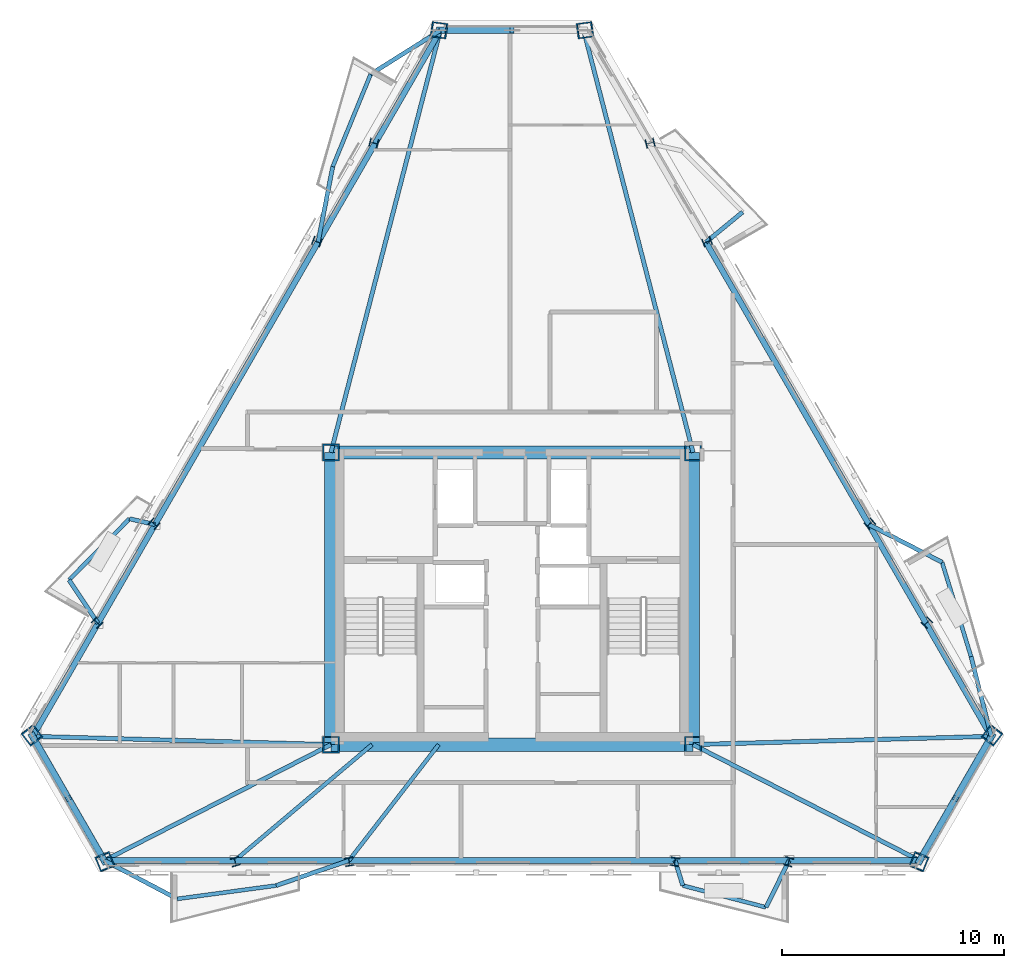
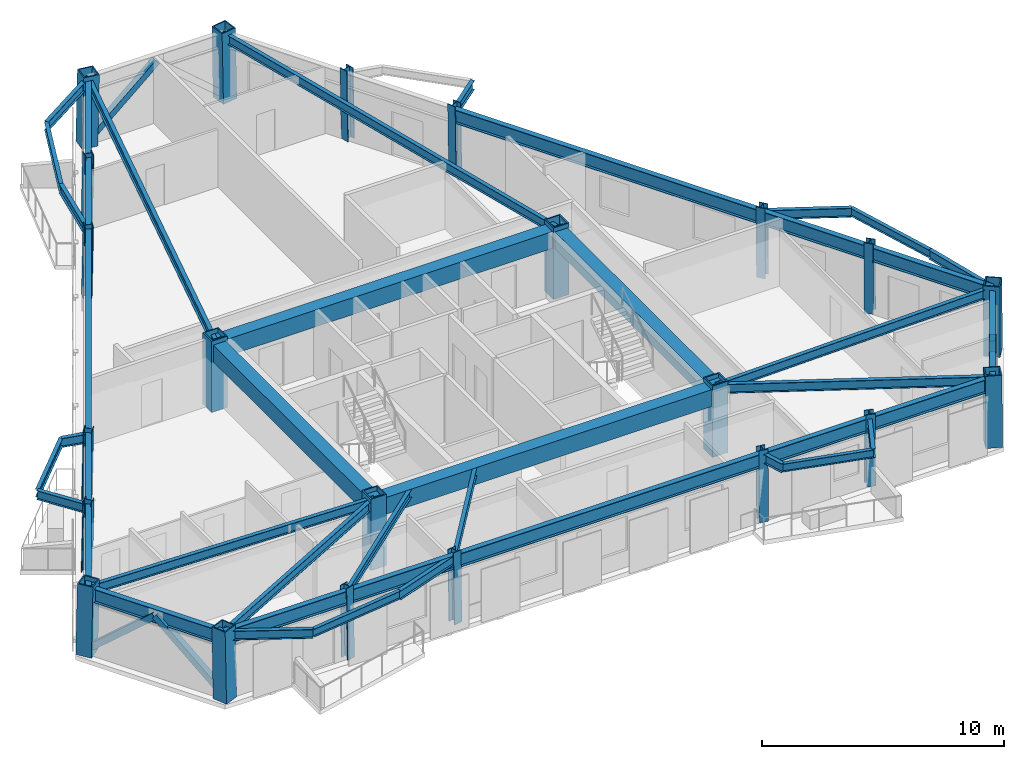
# One storey, part 1 of 9: 43 beams, 22 columns, 5 members.
"""IFC4 building model written with IfcOpenShell, lengths in metres."""

from ifc_helpers import new_model, si_unit, direction, frame, origin, origin_2d, place, context, subcontext, project, spatial, rectangle, hollow_rectangle, i_section, extrude, material, material_profile, profile_set, type_object, element, save


model = new_model("IFC4")

# Units and contexts
model_context = context("Model", 3, precision=1e-05, world=origin(), true_north=direction((0.0, 1.0)))
body_context = subcontext(model_context, "Body", "Model", "MODEL_VIEW")
ifc_project = project(units=[si_unit("LENGTHUNIT", "METRE"), si_unit("AREAUNIT", "SQUARE_METRE"), si_unit("VOLUMEUNIT", "CUBIC_METRE"), si_unit("PLANEANGLEUNIT", "RADIAN"), si_unit("MASSUNIT", "GRAM", prefix="KILO")], contexts=[model_context])

# Site, building, storey
site_placement = place(None, origin())
site = spatial("IfcSite", under=ifc_project, at=site_placement, CompositionType="ELEMENT")
building_placement = place(site_placement, origin())
building = spatial("IfcBuilding", under=site, at=building_placement, Name="Oramaril Tower", CompositionType="ELEMENT")
storey_placement = place(building_placement, frame((0.0, 0.0, 219.89990234375)))
storey = spatial("IfcBuildingStorey", under=building, at=storey_placement, Name="L58", CompositionType="ELEMENT", Elevation=219.89990234375)

# Columns
ifc_material_1 = material(Name="Steel ASTM A572 Gr 50", Category="steel")
ifc_material_profile_1 = material_profile(ifc_material_1, hollow_rectangle(XDim=0.75, YDim=0.75, WallThickness=0.06005859375, at=origin_2d()), Name="BOX750X750X60")
ifc_profile_set_1 = profile_set([ifc_material_profile_1], Name="Steel ASTM A572 Gr 50")
column_type_1 = type_object("IfcColumnType", Name="CT-CC4", PredefinedType="COLUMN", material=ifc_profile_set_1)
for number, where, z_axis, x_axis, name in (
    (1, (29.35009765625, 11.0, 0.0), (0.0, 0.0, 1.0), (1.0, 0.0, 0.0), "L58 Core Column CC-1"),
    (2, (45.64990234375, 11.0, 0.0), (0.0, 0.0, 1.0), (1.0, 0.0, 0.0), "L58 Core Column CC-2"),
    (3, (45.64990234375, 24.14990234375, 0.0), (0.0, 0.0, 1.0), (1.0, 0.0, 0.0), "L58 Core Column CC-3"),
    (4, (29.35009765625, 24.14990234375, 0.0), (0.0, 0.0, 1.0), (1.0, 0.0, 0.0), "L58 Core Column CC-4"),
):
    element("IfcColumn", number, at=place(storey_placement, frame(where, z_axis=z_axis, x_axis=x_axis)), inside=storey, type_object=column_type_1, Name=name, PredefinedType="COLUMN", context=body_context, shape_type="SweptSolid", body=[
        extrude(hollow_rectangle(XDim=0.75, YDim=0.75, WallThickness=0.06005859375, at=origin_2d()), origin(), (0.0, 0.0, 1.0), 3.60009765625),
    ])
ifc_material_2 = material(Name="Steel ASTM A572 Gr 50", Category="steel")
ifc_material_profile_2 = material_profile(ifc_material_2, hollow_rectangle(XDim=0.699951171875, YDim=0.699951171875, WallThickness=0.054931640625, at=origin_2d()), Name="BOX700X700X55")
ifc_profile_set_2 = profile_set([ifc_material_profile_2], Name="Steel ASTM A572 Gr 50")
column_type_2 = type_object("IfcColumnType", Name="CT-TC4", PredefinedType="COLUMN", material=ifc_profile_set_2)
for number, where, z_axis, x_axis, name in (
    (5, (15.88671875, 11.427978515625, 0.004638671875), (0.01203109441, -0.015701597789, 0.999804337155), (0.793772252569, 0.608215102618, 0.0), "L58 Tube Column TC-01"),
    (6, (19.18310546875, 5.718017578125, 0.004638671875), (-0.007544914358, 0.018352494384, 0.999803110726), (-0.924890782271, -0.380232877156, 0.0), "L58 Tube Column TC-02"),
    (7, (55.81689453125, 5.718017578125, 0.004638671875), (0.007544914358, 0.018352494384, 0.999803110726), (-0.924890782271, 0.380232877156, 0.0), "L58 Tube Column TC-03"),
    (8, (59.11328125, 11.427978515625, 0.004638671875), (-0.01203109441, -0.015701597789, 0.999804337155), (0.793772252569, -0.608215102618, 0.0), "L58 Tube Column TC-04"),
    (9, (40.796630859375, 43.15380859375, 0.004638671875), (-0.019643974334, -0.002650916952, 0.999803524154), (0.133735859867, -0.991017012864, 0.0), "L58 Tube Column TC-05"),
    (10, (34.203369140625, 43.15380859375, 0.004638671875), (0.019643974334, -0.002650916952, 0.999803524154), (0.133735859867, 0.991017012864, 0.0), "L58 Tube Column TC-06"),
):
    element("IfcColumn", number, at=place(storey_placement, frame(where, z_axis=z_axis, x_axis=x_axis)), inside=storey, type_object=column_type_2, Name=name, PredefinedType="COLUMN", context=body_context, shape_type="SweptSolid", body=[
        extrude(hollow_rectangle(XDim=0.699951171875, YDim=0.699951171875, WallThickness=0.054931640625, at=origin_2d()), origin(), (0.0, 0.0, 1.0), 3.591796875),
    ])
ifc_material_3 = material(Name="Steel ASTM A572 Gr 50", Category="steel")
ifc_material_profile_3 = material_profile(ifc_material_3, i_section(OverallWidth=0.39892578125, OverallDepth=0.385986328125, WebThickness=0.02099609375, FlangeThickness=0.033203125, at=origin_2d()), Name="W14X176")
ifc_profile_set_3 = profile_set([ifc_material_profile_3], Name="Steel ASTM A572 Gr 50")
column_type_3 = type_object("IfcColumnType", Name="CT-TF4", PredefinedType="COLUMN", material=ifc_profile_set_3)
for number, where, z_axis, x_axis, name in (
    (11, (25.044677734375, 5.718017578125, 0.004638671875), (-0.005165965416, 0.018352771874, 0.999818227762), (-0.962592843025, -0.270952059518, 0.0), "L58 Tube Column TC-07"),
    (12, (30.17333984375, 5.718017578125, 0.004638671875), (-0.003058821819, 0.018352930912, 0.999826891785), (-0.986393923832, -0.164398987305, 0.0), "L58 Tube Column TC-08"),
    (13, (44.82666015625, 5.718017578125, 0.004638671875), (0.003058821819, 0.018352930912, 0.999826891785), (-0.986393923832, 0.164398987305, 0.0), "L58 Tube Column TC-09"),
    (14, (49.955322265625, 5.718017578125, 0.004638671875), (0.005165965416, 0.018352771874, 0.999818227762), (-0.962592843025, 0.270952059518, 0.0), "L58 Tube Column TC-10"),
    (15, (56.1826171875, 16.504150390625, 0.004638671875), (-0.013254787342, -0.013662626953, 0.999818805203), (0.717738140021, -0.696313120916, 0.0), "L58 Tube Column TC-11"),
    (16, (53.618408203125, 20.94580078125, 0.004638671875), (-0.01434247988, -0.011827447863, 0.999827187442), (0.636219767536, -0.771507879024, 0.0), "L58 Tube Column TC-12"),
    (17, (46.29150390625, 33.635986328125, 0.004638671875), (-0.017333351029, -0.006525496858, 0.999828471705), (0.352329758806, -0.935875921829, 0.0), "L58 Tube Column TC-13"),
    (18, (43.727294921875, 38.07763671875, 0.004638671875), (-0.018488715385, -0.004690152065, 0.999818068389), (0.245888148656, -0.969298209196, 0.0), "L58 Tube Column TC-14"),
    (19, (31.272705078125, 38.07763671875, 0.004638671875), (0.018488715385, -0.004690152065, 0.999818068389), (0.245888148656, 0.969298209196, 0.0), "L58 Tube Column TC-15"),
    (20, (28.70849609375, 33.635986328125, 0.004638671875), (0.017333351029, -0.006525496858, 0.999828471705), (0.352329758806, 0.935875921829, 0.0), "L58 Tube Column TC-16"),
    (21, (21.381591796875, 20.94580078125, 0.004638671875), (0.01434247988, -0.011827447863, 0.999827187442), (0.636219767536, 0.771507879024, 0.0), "L58 Tube Column TC-17"),
    (22, (18.8173828125, 16.504150390625, 0.004638671875), (0.013254787342, -0.013662626953, 0.999818805203), (0.717738140021, 0.696313120916, 0.0), "L58 Tube Column TC-18"),
):
    element("IfcColumn", number, at=place(storey_placement, frame(where, z_axis=z_axis, x_axis=x_axis)), inside=storey, type_object=column_type_3, Name=name, PredefinedType="COLUMN", context=body_context, shape_type="SweptSolid", body=[
        extrude(i_section(OverallWidth=0.39892578125, OverallDepth=0.385986328125, WebThickness=0.02099609375, FlangeThickness=0.033203125, at=origin_2d()), origin(), (0.0, 0.0, 1.0), 3.591796875),
    ])

# Beams
ifc_material_4 = material(Name="Steel ASTM A572 Gr 50", Category="steel")
ifc_material_profile_4 = material_profile(ifc_material_4, i_section(OverallWidth=0.19091796875, OverallDepth=0.45703125, WebThickness=0.009033203125, FlangeThickness=0.014404296875, at=origin_2d()), Name="W18X50")
ifc_profile_set_4 = profile_set([ifc_material_profile_4], Name="Steel ASTM A572 Gr 50")
beam_type_1 = type_object("IfcBeamType", Name="BT-BB1", PredefinedType="BEAM", material=ifc_profile_set_4)
beam_1_placement = place(storey_placement, frame((29.35009765625, 11.0, 3.151611328125), z_axis=(-0.999616898359, 0.027677725978, 0.0), x_axis=(-0.027677725978, -0.999616898359, 0.0)))
element("IfcBeam", 23, at=beam_1_placement, inside=storey, type_object=beam_type_1, Name="L58 Radial Primary Beam RB-01", PredefinedType="BEAM", context=body_context, shape_type="SweptSolid", body=[
    extrude(i_section(OverallWidth=0.19091796875, OverallDepth=0.45703125, WebThickness=0.009033203125, FlangeThickness=0.014404296875, at=origin_2d()), origin(), (0.0, 0.0, 1.0), 13.42529296875),
])
for number, where, z_axis, x_axis, name in (
    (24, (29.35009765625, 11.0, 3.151611328125), (-0.890231073174, -0.455509205565, 0.0), (0.455509205565, -0.890231073174, 0.0), "L58 Radial Primary Beam RB-02"),
    (25, (45.64990234375, 11.0, 3.151611328125), (0.890231073174, -0.455509205565, 0.0), (0.455509205565, 0.890231073174, 0.0), "L58 Radial Primary Beam RB-03"),
):
    element("IfcBeam", number, at=place(storey_placement, frame(where, z_axis=z_axis, x_axis=x_axis)), inside=storey, type_object=beam_type_1, Name=name, PredefinedType="BEAM", context=body_context, shape_type="SweptSolid", body=[
        extrude(i_section(OverallWidth=0.19091796875, OverallDepth=0.45703125, WebThickness=0.009033203125, FlangeThickness=0.014404296875, at=origin_2d()), origin(), (0.0, 0.0, 1.0), 11.451171875),
    ])
beam_2_placement = place(storey_placement, frame((45.64990234375, 11.0, 3.151611328125), z_axis=(0.999616898359, 0.027677725978, 0.0), x_axis=(-0.027677725978, 0.999616898359, 0.0)))
element("IfcBeam", 26, at=beam_2_placement, inside=storey, type_object=beam_type_1, Name="L58 Radial Primary Beam RB-04", PredefinedType="BEAM", context=body_context, shape_type="SweptSolid", body=[
    extrude(i_section(OverallWidth=0.19091796875, OverallDepth=0.45703125, WebThickness=0.009033203125, FlangeThickness=0.014404296875, at=origin_2d()), origin(), (0.0, 0.0, 1.0), 13.42529296875),
])
for number, where, z_axis, x_axis, name in (
    (27, (45.64990234375, 24.14990234375, 3.151611328125), (-0.25093150129, 0.968004845887, 0.0), (-0.968004845887, -0.25093150129, 0.0), "L58 Radial Primary Beam RB-05"),
    (28, (29.35009765625, 24.14990234375, 3.151611328125), (0.25093150129, 0.968004845887, 0.0), (-0.968004845887, 0.25093150129, 0.0), "L58 Radial Primary Beam RB-06"),
):
    element("IfcBeam", number, at=place(storey_placement, frame(where, z_axis=z_axis, x_axis=x_axis)), inside=storey, type_object=beam_type_1, Name=name, PredefinedType="BEAM", context=body_context, shape_type="SweptSolid", body=[
        extrude(i_section(OverallWidth=0.19091796875, OverallDepth=0.45703125, WebThickness=0.009033203125, FlangeThickness=0.014404296875, at=origin_2d()), origin(), (0.0, 0.0, 1.0), 19.622314453125),
    ])
beam_3_placement = place(storey_placement, frame((19.156005859375, 5.783935546875, 3.151611328125), z_axis=(0.884062224735, -0.467369214644, 0.0), x_axis=(0.467369214644, 0.884062224735, 0.0)))
element("IfcBeam", 29, at=beam_3_placement, inside=storey, type_object=beam_type_1, Name="L58 Balcony Column-Framed Cantilever 01.1", PredefinedType="BEAM", context=body_context, shape_type="SweptSolid", body=[
    extrude(i_section(OverallWidth=0.19091796875, OverallDepth=0.45703125, WebThickness=0.009033203125, FlangeThickness=0.014404296875, at=origin_2d()), origin(), (0.0, 0.0, 1.0), 3.699951171875),
])
beam_4_placement = place(storey_placement, frame((30.162353515625, 5.783935546875, 3.151611328125), z_axis=(-0.945492765593, -0.325643102508, 0.0), x_axis=(0.325643102508, -0.945492765593, 0.0)))
element("IfcBeam", 30, at=beam_4_placement, inside=storey, type_object=beam_type_1, Name="L58 Balcony Column-Framed Cantilever 01.2", PredefinedType="BEAM", context=body_context, shape_type="SweptSolid", body=[
    extrude(i_section(OverallWidth=0.19091796875, OverallDepth=0.45703125, WebThickness=0.009033203125, FlangeThickness=0.014404296875, at=origin_2d()), origin(), (0.0, 0.0, 1.0), 3.463623046875),
])
beam_5_placement = place(storey_placement, frame((44.837646484375, 5.783935546875, 3.151611328125), z_axis=(0.296249654297, -0.955110539325, 0.0), x_axis=(0.955110539325, 0.296249654297, 0.0)))
element("IfcBeam", 31, at=beam_5_placement, inside=storey, type_object=beam_type_1, Name="L58 Balcony Column-Framed Cantilever 02.1", PredefinedType="BEAM", context=body_context, shape_type="SweptSolid", body=[
    extrude(i_section(OverallWidth=0.19091796875, OverallDepth=0.45703125, WebThickness=0.009033203125, FlangeThickness=0.014404296875, at=origin_2d()), origin(), (0.0, 0.0, 1.0), 1.180908203125),
])
beam_6_placement = place(storey_placement, frame((49.973876953125, 5.783935546875, 3.151611328125), z_axis=(-0.443222332067, -0.896411715874, 0.0), x_axis=(0.896411715874, -0.443222332067, 0.0)))
element("IfcBeam", 32, at=beam_6_placement, inside=storey, type_object=beam_type_1, Name="L58 Balcony Column-Framed Cantilever 02.2", PredefinedType="BEAM", context=body_context, shape_type="SweptSolid", body=[
    extrude(i_section(OverallWidth=0.19091796875, OverallDepth=0.45703125, WebThickness=0.009033203125, FlangeThickness=0.014404296875, at=origin_2d()), origin(), (0.0, 0.0, 1.0), 2.3515625),
])
for number, where, z_axis, x_axis, name in (
    (33, (59.070068359375, 11.37158203125, 3.151611328125), (-0.245391254889, 0.969424123913, 0.0), (-0.969424123913, -0.245391254889, 0.0), "L58 Balcony Column-Framed Cantilever 03.1"),
    (34, (53.56689453125, 20.9033203125, 3.151611328125), (0.889153578061, -0.457608910119, 0.0), (0.457608910119, 0.889153578061, 0.0), "L58 Balcony Column-Framed Cantilever 03.2"),
):
    element("IfcBeam", number, at=place(storey_placement, frame(where, z_axis=z_axis, x_axis=x_axis)), inside=storey, type_object=beam_type_1, Name=name, PredefinedType="BEAM", context=body_context, shape_type="SweptSolid", body=[
        extrude(i_section(OverallWidth=0.19091796875, OverallDepth=0.45703125, WebThickness=0.009033203125, FlangeThickness=0.014404296875, at=origin_2d()), origin(), (0.0, 0.0, 1.0), 3.699951171875),
    ])
beam_7_placement = place(storey_placement, frame((46.229248046875, 33.612548828125, 3.151611328125), z_axis=(0.772484024542, 0.635034197368, 0.0), x_axis=(-0.635034197368, 0.772484024542, 0.0)))
element("IfcBeam", 35, at=beam_7_placement, inside=storey, type_object=beam_type_1, Name="L58 Balcony Column-Framed Cantilever 04.1", PredefinedType="BEAM", context=body_context, shape_type="SweptSolid", body=[
    extrude(i_section(OverallWidth=0.19091796875, OverallDepth=0.45703125, WebThickness=0.009033203125, FlangeThickness=0.014404296875, at=origin_2d()), origin(), (0.0, 0.0, 1.0), 2.13671875),
])
beam_8_placement = place(storey_placement, frame((34.27392578125, 43.144287109375, 3.151611328125), z_axis=(-0.846798752878, -0.531913406604, 0.0), x_axis=(0.531913406604, -0.846798752878, 0.0)))
element("IfcBeam", 36, at=beam_8_placement, inside=storey, type_object=beam_type_1, Name="L58 Balcony Column-Framed Cantilever 05.1", PredefinedType="BEAM", context=body_context, shape_type="SweptSolid", body=[
    extrude(i_section(OverallWidth=0.19091796875, OverallDepth=0.45703125, WebThickness=0.009033203125, FlangeThickness=0.014404296875, at=origin_2d()), origin(), (0.0, 0.0, 1.0), 3.699951171875),
])
beam_9_placement = place(storey_placement, frame((28.770751953125, 33.612548828125, 3.151611328125), z_axis=(0.190731936688, 0.981642159001, 0.0), x_axis=(-0.981642159001, 0.190731936688, 0.0)))
element("IfcBeam", 37, at=beam_9_placement, inside=storey, type_object=beam_type_1, Name="L58 Balcony Column-Framed Cantilever 05.2", PredefinedType="BEAM", context=body_context, shape_type="SweptSolid", body=[
    extrude(i_section(OverallWidth=0.19091796875, OverallDepth=0.45703125, WebThickness=0.009033203125, FlangeThickness=0.014404296875, at=origin_2d()), origin(), (0.0, 0.0, 1.0), 3.463623046875),
])
beam_10_placement = place(storey_placement, frame((21.43310546875, 20.9033203125, 3.151611328125), z_axis=(-0.975278846368, 0.220977763198, 0.0), x_axis=(-0.220977763198, -0.975278846368, 0.0)))
element("IfcBeam", 38, at=beam_10_placement, inside=storey, type_object=beam_type_1, Name="L58 Balcony Column-Framed Cantilever 06.1", PredefinedType="BEAM", context=body_context, shape_type="SweptSolid", body=[
    extrude(i_section(OverallWidth=0.19091796875, OverallDepth=0.45703125, WebThickness=0.009033203125, FlangeThickness=0.014404296875, at=origin_2d()), origin(), (0.0, 0.0, 1.0), 1.18115234375),
])
beam_11_placement = place(storey_placement, frame((18.864990234375, 16.455078125, 3.151611328125), z_axis=(-0.554676239003, 0.832066265321, 0.0), x_axis=(-0.832066265321, -0.554676239003, 0.0)))
element("IfcBeam", 39, at=beam_11_placement, inside=storey, type_object=beam_type_1, Name="L58 Balcony Column-Framed Cantilever 06.2", PredefinedType="BEAM", context=body_context, shape_type="SweptSolid", body=[
    extrude(i_section(OverallWidth=0.19091796875, OverallDepth=0.45703125, WebThickness=0.009033203125, FlangeThickness=0.014404296875, at=origin_2d()), origin(), (0.0, 0.0, 1.0), 2.351806640625),
])
ifc_material_5 = material(Name="Concrete C50/60", Category="concrete")
ifc_material_profile_5 = material_profile(ifc_material_5, rectangle(XDim=0.60009765625, YDim=0.85009765625, at=origin_2d()), Name="CB600X850")
ifc_profile_set_5 = profile_set([ifc_material_profile_5], Name="Concrete C50/60")
beam_type_2 = type_object("IfcBeamType", Name="BT-CB2", PredefinedType="BEAM", material=ifc_profile_set_5)
beam_12_placement = place(storey_placement, frame((29.35009765625, 11.0, 2.955078125), z_axis=(1.0, 0.0, 0.0), x_axis=(0.0, 1.0, 0.0)))
element("IfcBeam", 40, at=beam_12_placement, inside=storey, type_object=beam_type_2, Name="L58 Core Header Beam CB-1", PredefinedType="BEAM", context=body_context, shape_type="SweptSolid", body=[
    extrude(rectangle(XDim=0.60009765625, YDim=0.85009765625, at=origin_2d()), origin(), (0.0, 0.0, 1.0), 16.2998046875),
])
beam_13_placement = place(storey_placement, frame((45.64990234375, 11.0, 2.955078125), z_axis=(0.0, 1.0, 0.0), x_axis=(-1.0, 0.0, 0.0)))
element("IfcBeam", 41, at=beam_13_placement, inside=storey, type_object=beam_type_2, Name="L58 Core Header Beam CB-2", PredefinedType="BEAM", context=body_context, shape_type="SweptSolid", body=[
    extrude(rectangle(XDim=0.60009765625, YDim=0.85009765625, at=origin_2d()), origin(), (0.0, 0.0, 1.0), 13.14990234375),
])
beam_14_placement = place(storey_placement, frame((45.64990234375, 24.14990234375, 2.955078125), z_axis=(-1.0, 0.0, 0.0), x_axis=(0.0, -1.0, 0.0)))
element("IfcBeam", 42, at=beam_14_placement, inside=storey, type_object=beam_type_2, Name="L58 Core Header Beam CB-3", PredefinedType="BEAM", context=body_context, shape_type="SweptSolid", body=[
    extrude(rectangle(XDim=0.60009765625, YDim=0.85009765625, at=origin_2d()), origin(), (0.0, 0.0, 1.0), 16.2998046875),
])
beam_15_placement = place(storey_placement, frame((29.35009765625, 24.14990234375, 2.955078125), z_axis=(0.0, -1.0, 0.0), x_axis=(1.0, 0.0, 0.0)))
element("IfcBeam", 43, at=beam_15_placement, inside=storey, type_object=beam_type_2, Name="L58 Core Header Beam CB-4", PredefinedType="BEAM", context=body_context, shape_type="SweptSolid", body=[
    extrude(rectangle(XDim=0.60009765625, YDim=0.85009765625, at=origin_2d()), origin(), (0.0, 0.0, 1.0), 13.14990234375),
])
ifc_material_6 = material(Name="Steel ASTM A572 Gr 50", Category="steel")
ifc_material_profile_6 = material_profile(ifc_material_6, i_section(OverallWidth=0.177978515625, OverallDepth=0.404052734375, WebThickness=0.007568359375, FlangeThickness=0.010986328125, at=origin_2d()), Name="W16X36")
ifc_profile_set_6 = profile_set([ifc_material_profile_6], Name="Steel ASTM A572 Gr 50")
beam_type_3 = type_object("IfcBeamType", Name="BT-SB1", PredefinedType="BEAM", material=ifc_profile_set_6)
beam_16_placement = place(storey_placement, frame((31.199951171875, 11.0, 3.177978515625), z_axis=(-0.763870734127, -0.645369275333, 0.0), x_axis=(0.645369275333, -0.763870734127, 0.0)))
element("IfcBeam", 44, at=beam_16_placement, inside=storey, type_object=beam_type_3, Name="L58 Secondary Floor Beam SB-01", PredefinedType="BEAM", context=body_context, shape_type="SweptSolid", body=[
    extrude(i_section(OverallWidth=0.177978515625, OverallDepth=0.404052734375, WebThickness=0.007568359375, FlangeThickness=0.010986328125, at=origin_2d()), origin(), (0.0, 0.0, 1.0), 8.082275390625),
])
beam_17_placement = place(storey_placement, frame((34.199951171875, 11.0, 3.177978515625), z_axis=(-0.612111977325, -0.790771096598, 0.0), x_axis=(0.790771096598, -0.612111977325, 0.0)))
element("IfcBeam", 45, at=beam_17_placement, inside=storey, type_object=beam_type_3, Name="L58 Secondary Floor Beam SB-02", PredefinedType="BEAM", context=body_context, shape_type="SweptSolid", body=[
    extrude(i_section(OverallWidth=0.177978515625, OverallDepth=0.404052734375, WebThickness=0.007568359375, FlangeThickness=0.010986328125, at=origin_2d()), origin(), (0.0, 0.0, 1.0), 6.59619140625),
])
beam_18_placement = place(storey_placement, frame((22.427001953125, 4.0546875, 3.177978515625), z_axis=(0.991034989293, 0.1336025823, 0.0), x_axis=(-0.1336025823, 0.991034989293, 0.0)))
element("IfcBeam", 46, at=beam_18_placement, inside=storey, type_object=beam_type_3, Name="L58 Balcony Edge Tie Beam 01", PredefinedType="BEAM", context=body_context, shape_type="SweptSolid", body=[
    extrude(i_section(OverallWidth=0.177978515625, OverallDepth=0.404052734375, WebThickness=0.007568359375, FlangeThickness=0.010986328125, at=origin_2d()), origin(), (0.0, 0.0, 1.0), 4.500732421875),
])
beam_19_placement = place(storey_placement, frame((45.1875, 4.656005859375, 3.177978515625), z_axis=(0.967411967632, -0.253207592467, 0.0), x_axis=(0.253207592467, 0.967411967632, 0.0)))
element("IfcBeam", 47, at=beam_19_placement, inside=storey, type_object=beam_type_3, Name="L58 Balcony Edge Tie Beam 02", PredefinedType="BEAM", context=body_context, shape_type="SweptSolid", body=[
    extrude(i_section(OverallWidth=0.177978515625, OverallDepth=0.404052734375, WebThickness=0.007568359375, FlangeThickness=0.010986328125, at=origin_2d()), origin(), (0.0, 0.0, 1.0), 3.870361328125),
])
beam_20_placement = place(storey_placement, frame((58.162109375, 14.95849609375, 3.177978515625), z_axis=(-0.293511054677, 0.955955679298, 0.0), x_axis=(-0.955955679298, -0.293511054677, 0.0)))
element("IfcBeam", 48, at=beam_20_placement, inside=storey, type_object=beam_type_3, Name="L58 Balcony Edge Tie Beam 03", PredefinedType="BEAM", context=body_context, shape_type="SweptSolid", body=[
    extrude(i_section(OverallWidth=0.177978515625, OverallDepth=0.404052734375, WebThickness=0.007568359375, FlangeThickness=0.010986328125, at=origin_2d()), origin(), (0.0, 0.0, 1.0), 4.447509765625),
])
beam_21_placement = place(storey_placement, frame((31.140869140625, 41.17626953125, 3.177978515625), z_axis=(-0.379811104954, -0.925064065108, 0.0), x_axis=(0.925064065108, -0.379811104954, 0.0)))
element("IfcBeam", 49, at=beam_21_placement, inside=storey, type_object=beam_type_3, Name="L58 Balcony Edge Tie Beam 05", PredefinedType="BEAM", context=body_context, shape_type="SweptSolid", body=[
    extrude(i_section(OverallWidth=0.177978515625, OverallDepth=0.404052734375, WebThickness=0.007568359375, FlangeThickness=0.010986328125, at=origin_2d()), origin(), (0.0, 0.0, 1.0), 4.500732421875),
])
beam_22_placement = place(storey_placement, frame((20.28125, 21.164306640625, 3.177978515625), z_axis=(-0.702994511648, -0.71119527318, 0.0), x_axis=(0.71119527318, -0.702994511648, 0.0)))
element("IfcBeam", 50, at=beam_22_placement, inside=storey, type_object=beam_type_3, Name="L58 Balcony Edge Tie Beam 06", PredefinedType="BEAM", context=body_context, shape_type="SweptSolid", body=[
    extrude(i_section(OverallWidth=0.177978515625, OverallDepth=0.404052734375, WebThickness=0.007568359375, FlangeThickness=0.010986328125, at=origin_2d()), origin(), (0.0, 0.0, 1.0), 3.8701171875),
])
ifc_material_7 = material(Name="Steel ASTM A572 Gr 50", Category="steel")
ifc_material_profile_7 = material_profile(ifc_material_7, i_section(OverallWidth=0.257080078125, OverallDepth=0.693115234375, WebThickness=0.014404296875, FlangeThickness=0.023681640625, at=origin_2d()), Name="W27X114")
ifc_profile_set_7 = profile_set([ifc_material_profile_7], Name="Steel ASTM A572 Gr 50")
beam_type_4 = type_object("IfcBeamType", Name="BT-SP4", PredefinedType="SPANDREL", material=ifc_profile_set_7)
beam_23_placement = place(storey_placement, frame((15.929931640625, 11.37158203125, 3.03369140625), z_axis=(0.500005232821, -0.866022382593, 0.0), x_axis=(0.866022382593, 0.500005232821, 0.0)))
element("IfcBeam", 51, at=beam_23_placement, inside=storey, type_object=beam_type_4, Name="L58 Perimeter Spandrel 01", PredefinedType="SPANDREL", context=body_context, shape_type="SweptSolid", body=[
    extrude(i_section(OverallWidth=0.257080078125, OverallDepth=0.693115234375, WebThickness=0.014404296875, FlangeThickness=0.023681640625, at=origin_2d()), origin(), (0.0, 0.0, 1.0), 6.4521484375),
])
beam_24_placement = place(storey_placement, frame((19.156005859375, 5.783935546875, 3.03369140625), z_axis=(1.0, 0.0, 0.0), x_axis=(0.0, 1.0, 0.0)))
element("IfcBeam", 52, at=beam_24_placement, inside=storey, type_object=beam_type_4, Name="L58 Perimeter Spandrel 02", PredefinedType="SPANDREL", context=body_context, shape_type="SweptSolid", body=[
    extrude(i_section(OverallWidth=0.257080078125, OverallDepth=0.693115234375, WebThickness=0.014404296875, FlangeThickness=0.023681640625, at=origin_2d()), origin(), (0.0, 0.0, 1.0), 5.8701171875),
])
beam_25_placement = place(storey_placement, frame((25.026123046875, 5.783935546875, 3.03369140625), z_axis=(1.0, 0.0, 0.0), x_axis=(0.0, 1.0, 0.0)))
element("IfcBeam", 53, at=beam_25_placement, inside=storey, type_object=beam_type_4, Name="L58 Perimeter Spandrel 03", PredefinedType="SPANDREL", context=body_context, shape_type="SweptSolid", body=[
    extrude(i_section(OverallWidth=0.257080078125, OverallDepth=0.693115234375, WebThickness=0.014404296875, FlangeThickness=0.023681640625, at=origin_2d()), origin(), (0.0, 0.0, 1.0), 5.13623046875),
])
beam_26_placement = place(storey_placement, frame((30.162353515625, 5.783935546875, 3.03369140625), z_axis=(1.0, 0.0, 0.0), x_axis=(0.0, 1.0, 0.0)))
element("IfcBeam", 54, at=beam_26_placement, inside=storey, type_object=beam_type_4, Name="L58 Perimeter Spandrel 04", PredefinedType="SPANDREL", context=body_context, shape_type="SweptSolid", body=[
    extrude(i_section(OverallWidth=0.257080078125, OverallDepth=0.693115234375, WebThickness=0.014404296875, FlangeThickness=0.023681640625, at=origin_2d()), origin(), (0.0, 0.0, 1.0), 14.67529296875),
])
beam_27_placement = place(storey_placement, frame((44.837646484375, 5.783935546875, 3.03369140625), z_axis=(1.0, 0.0, 0.0), x_axis=(0.0, 1.0, 0.0)))
element("IfcBeam", 55, at=beam_27_placement, inside=storey, type_object=beam_type_4, Name="L58 Perimeter Spandrel 05", PredefinedType="SPANDREL", context=body_context, shape_type="SweptSolid", body=[
    extrude(i_section(OverallWidth=0.257080078125, OverallDepth=0.693115234375, WebThickness=0.014404296875, FlangeThickness=0.023681640625, at=origin_2d()), origin(), (0.0, 0.0, 1.0), 5.13623046875),
])
beam_28_placement = place(storey_placement, frame((49.973876953125, 5.783935546875, 3.03369140625), z_axis=(1.0, 0.0, 0.0), x_axis=(0.0, 1.0, 0.0)))
element("IfcBeam", 56, at=beam_28_placement, inside=storey, type_object=beam_type_4, Name="L58 Perimeter Spandrel 06", PredefinedType="SPANDREL", context=body_context, shape_type="SweptSolid", body=[
    extrude(i_section(OverallWidth=0.257080078125, OverallDepth=0.693115234375, WebThickness=0.014404296875, FlangeThickness=0.023681640625, at=origin_2d()), origin(), (0.0, 0.0, 1.0), 5.8701171875),
])
beam_29_placement = place(storey_placement, frame((55.843994140625, 5.783935546875, 3.03369140625), z_axis=(0.500005232821, 0.866022382593, 0.0), x_axis=(-0.866022382593, 0.500005232821, 0.0)))
element("IfcBeam", 57, at=beam_29_placement, inside=storey, type_object=beam_type_4, Name="L58 Perimeter Spandrel 07", PredefinedType="SPANDREL", context=body_context, shape_type="SweptSolid", body=[
    extrude(i_section(OverallWidth=0.257080078125, OverallDepth=0.693115234375, WebThickness=0.014404296875, FlangeThickness=0.023681640625, at=origin_2d()), origin(), (0.0, 0.0, 1.0), 6.4521484375),
])
beam_30_placement = place(storey_placement, frame((59.070068359375, 11.37158203125, 3.03369140625), z_axis=(-0.500012873392, 0.8660179712, 0.0), x_axis=(-0.8660179712, -0.500012873392, 0.0)))
element("IfcBeam", 58, at=beam_30_placement, inside=storey, type_object=beam_type_4, Name="L58 Perimeter Spandrel 08", PredefinedType="SPANDREL", context=body_context, shape_type="SweptSolid", body=[
    extrude(i_section(OverallWidth=0.257080078125, OverallDepth=0.693115234375, WebThickness=0.014404296875, FlangeThickness=0.023681640625, at=origin_2d()), origin(), (0.0, 0.0, 1.0), 5.869873046875),
])
beam_31_placement = place(storey_placement, frame((56.135009765625, 16.455078125, 3.03369140625), z_axis=(-0.499988524391, 0.866032029129, 0.0), x_axis=(-0.866032029129, -0.499988524391, 0.0)))
element("IfcBeam", 59, at=beam_31_placement, inside=storey, type_object=beam_type_4, Name="L58 Perimeter Spandrel 09", PredefinedType="SPANDREL", context=body_context, shape_type="SweptSolid", body=[
    extrude(i_section(OverallWidth=0.257080078125, OverallDepth=0.693115234375, WebThickness=0.014404296875, FlangeThickness=0.023681640625, at=origin_2d()), origin(), (0.0, 0.0, 1.0), 5.13623046875),
])
beam_32_placement = place(storey_placement, frame((53.56689453125, 20.9033203125, 3.03369140625), z_axis=(-0.499998465777, 0.866026289567, 0.0), x_axis=(-0.866026289567, -0.499998465777, 0.0)))
element("IfcBeam", 60, at=beam_32_placement, inside=storey, type_object=beam_type_4, Name="L58 Perimeter Spandrel 10", PredefinedType="SPANDREL", context=body_context, shape_type="SweptSolid", body=[
    extrude(i_section(OverallWidth=0.257080078125, OverallDepth=0.693115234375, WebThickness=0.014404296875, FlangeThickness=0.023681640625, at=origin_2d()), origin(), (0.0, 0.0, 1.0), 14.67529296875),
])
beam_33_placement = place(storey_placement, frame((34.27392578125, 43.144287109375, 3.03369140625), z_axis=(-0.499981679338, -0.866035980965, 0.0), x_axis=(0.866035980965, -0.499981679338, 0.0)))
element("IfcBeam", 61, at=beam_33_placement, inside=storey, type_object=beam_type_4, Name="L58 Perimeter Spandrel 14", PredefinedType="SPANDREL", context=body_context, shape_type="SweptSolid", body=[
    extrude(i_section(OverallWidth=0.257080078125, OverallDepth=0.693115234375, WebThickness=0.014404296875, FlangeThickness=0.023681640625, at=origin_2d()), origin(), (0.0, 0.0, 1.0), 5.869873046875),
])
beam_34_placement = place(storey_placement, frame((31.339111328125, 38.060791015625, 3.03369140625), z_axis=(-0.500024172624, -0.866011447264, 0.0), x_axis=(0.866011447264, -0.500024172624, 0.0)))
element("IfcBeam", 62, at=beam_34_placement, inside=storey, type_object=beam_type_4, Name="L58 Perimeter Spandrel 15", PredefinedType="SPANDREL", context=body_context, shape_type="SweptSolid", body=[
    extrude(i_section(OverallWidth=0.257080078125, OverallDepth=0.693115234375, WebThickness=0.014404296875, FlangeThickness=0.023681640625, at=origin_2d()), origin(), (0.0, 0.0, 1.0), 5.136474609375),
])
beam_35_placement = place(storey_placement, frame((28.770751953125, 33.612548828125, 3.03369140625), z_axis=(-0.499998465777, -0.866026289567, 0.0), x_axis=(0.866026289567, -0.499998465777, 0.0)))
element("IfcBeam", 63, at=beam_35_placement, inside=storey, type_object=beam_type_4, Name="L58 Perimeter Spandrel 16", PredefinedType="SPANDREL", context=body_context, shape_type="SweptSolid", body=[
    extrude(i_section(OverallWidth=0.257080078125, OverallDepth=0.693115234375, WebThickness=0.014404296875, FlangeThickness=0.023681640625, at=origin_2d()), origin(), (0.0, 0.0, 1.0), 14.67529296875),
])
beam_36_placement = place(storey_placement, frame((21.43310546875, 20.9033203125, 3.03369140625), z_axis=(-0.499988524391, -0.866032029129, 0.0), x_axis=(0.866032029129, -0.499988524391, 0.0)))
element("IfcBeam", 64, at=beam_36_placement, inside=storey, type_object=beam_type_4, Name="L58 Perimeter Spandrel 17", PredefinedType="SPANDREL", context=body_context, shape_type="SweptSolid", body=[
    extrude(i_section(OverallWidth=0.257080078125, OverallDepth=0.693115234375, WebThickness=0.014404296875, FlangeThickness=0.023681640625, at=origin_2d()), origin(), (0.0, 0.0, 1.0), 5.13623046875),
])
beam_37_placement = place(storey_placement, frame((18.864990234375, 16.455078125, 3.03369140625), z_axis=(-0.500012873392, -0.8660179712, 0.0), x_axis=(0.8660179712, -0.500012873392, 0.0)))
element("IfcBeam", 65, at=beam_37_placement, inside=storey, type_object=beam_type_4, Name="L58 Perimeter Spandrel 18", PredefinedType="SPANDREL", context=body_context, shape_type="SweptSolid", body=[
    extrude(i_section(OverallWidth=0.257080078125, OverallDepth=0.693115234375, WebThickness=0.014404296875, FlangeThickness=0.023681640625, at=origin_2d()), origin(), (0.0, 0.0, 1.0), 5.869873046875),
])

# Members
ifc_material_8 = material(Name="Steel ASTM A572 Gr 50", Category="steel")
ifc_material_profile_8 = material_profile(ifc_material_8, hollow_rectangle(XDim=0.300048828125, YDim=0.300048828125, WallThickness=0.01611328125, at=origin_2d()), Name="HSS300X300X16")
ifc_profile_set_8 = profile_set([ifc_material_profile_8], Name="Steel ASTM A572 Gr 50")
member_type = type_object("IfcMemberType", Name="MT-KB2", PredefinedType="BRACE", material=ifc_profile_set_8)
for number, where, z_axis, x_axis, name in (
    (66, (15.88671875, 11.427978515625, 0.18017578125), (0.378021960576, -0.654805037325, 0.654469067578), (0.866042529317, 0.499970336533, 0.0), "L58 Perimeter Chevron Brace KB-1A"),
    (67, (19.18310546875, 5.718017578125, 0.18017578125), (-0.378021960576, 0.654805037325, 0.654469067578), (-0.866042529317, -0.499970336533, 0.0), "L58 Perimeter Chevron Brace KB-1B"),
    (68, (55.81689453125, 5.718017578125, 0.18017578125), (0.378021960576, 0.654805037325, 0.654469067578), (-0.866042529317, 0.499970336533, 0.0), "L58 Perimeter Chevron Brace KB-2A"),
    (69, (59.11328125, 11.427978515625, 0.18017578125), (-0.378021960576, -0.654805037325, 0.654469067578), (0.866042529317, -0.499970336533, 0.0), "L58 Perimeter Chevron Brace KB-2B"),
    (70, (34.203369140625, 43.15380859375, 0.18017578125), (0.756093548484, 0.0, 0.654463555853), (0.0, 1.0, 0.0), "L58 Perimeter Chevron Brace KB-3B"),
):
    element("IfcMember", number, at=place(storey_placement, frame(where, z_axis=z_axis, x_axis=x_axis)), inside=storey, type_object=member_type, Name=name, PredefinedType="BRACE", context=body_context, shape_type="SweptSolid", body=[
        extrude(hollow_rectangle(XDim=0.300048828125, YDim=0.300048828125, WallThickness=0.01611328125, at=origin_2d()), origin(), (0.0, 0.0, 1.0), 4.360107421875),
    ])

save(model, "model.ifc")
